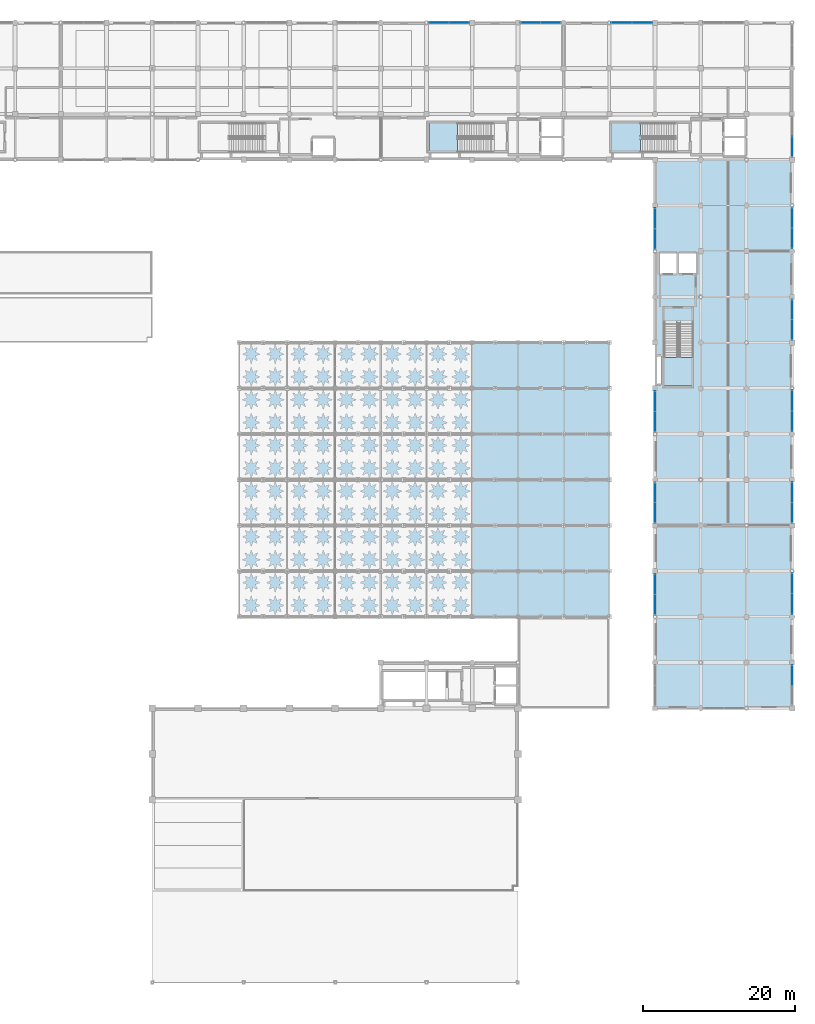
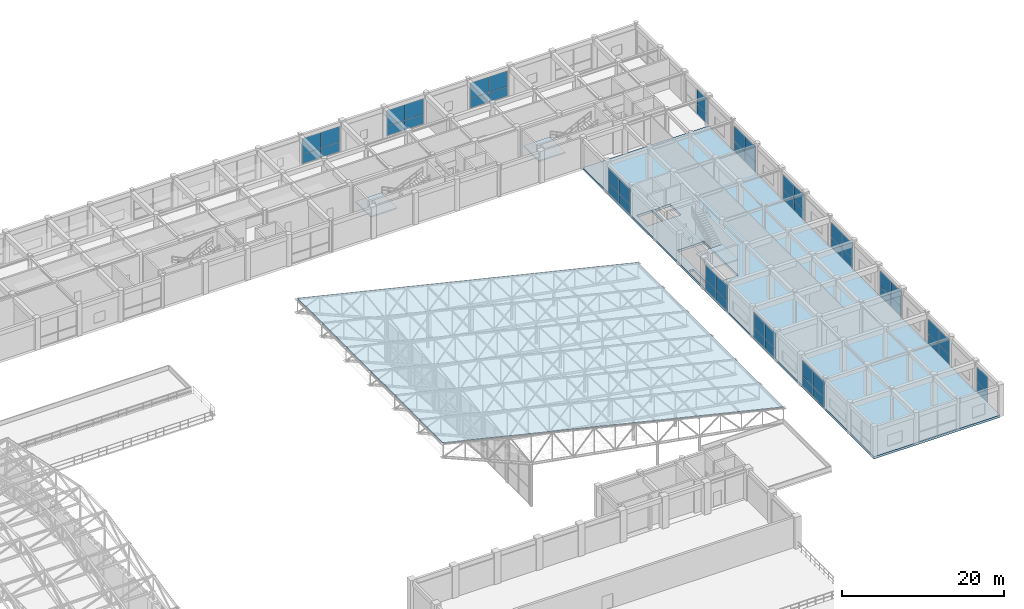
# One storey, part 84 of 112: 52 plates, 5 slabs, 17 elements without a shape of their own.
"""IFC4 building model written with IfcOpenShell, lengths in metres."""

from ifc_helpers import new_model, si_unit, direction, frame, frame_2d, origin, place, context, subcontext, project, spatial, polyline, rectangle, outline, extrude, material, layer, layer_set, type_object, element, aggregate, save


model = new_model("IFC4")

# Units and contexts
model_context = context("Model", 3, precision=1e-05, world=origin(), true_north=direction((0.0, 1.0)))
body_context = subcontext(model_context, "Body", "Model", "MODEL_VIEW")
ifc_project = project(units=[si_unit("LENGTHUNIT", "METRE"), si_unit("AREAUNIT", "SQUARE_METRE"), si_unit("VOLUMEUNIT", "CUBIC_METRE"), si_unit("PLANEANGLEUNIT", "RADIAN"), si_unit("MASSUNIT", "GRAM", prefix="KILO"), si_unit("THERMODYNAMICTEMPERATUREUNIT", "KELVIN"), si_unit("POWERUNIT", "WATT")], contexts=[model_context])

# Site, building, storey
site_placement = place(None, origin())
site = spatial("IfcSite", under=ifc_project, at=site_placement, CompositionType="ELEMENT")
building_placement = place(site_placement, origin())
building = spatial("IfcBuilding", under=site, at=building_placement, Name="Phaisarnlok Congress Hotel", CompositionType="ELEMENT")
storey_placement = place(building_placement, frame((0.0, 0.0, 19.800048828125)))
storey = spatial("IfcBuildingStorey", under=building, at=storey_placement, Name="L04", CompositionType="ELEMENT", Elevation=19.800048828125)

# Curtain wall, plates
ifc_material_1 = material(Name="Thermally Broken Unitised Aluminium & Low-E Glazing", Category="aluminium")
curtain_wall_type_1 = type_object("IfcCurtainWallType", Name="CW-UNIT-34", PredefinedType="NOTDEFINED", material=ifc_material_1)
curtain_wall_1_placement = place(storey_placement, origin())
curtain_wall_1 = element("IfcCurtainWall", 1, at=curtain_wall_1_placement, inside=storey, type_object=curtain_wall_type_1, Name="Unitised curtain wall CW-34 (L04)", PredefinedType="NOTDEFINED")
ifc_material_2 = material(Name="Double Low-E Insulated Glazing", Category="glass")
ifc_layer_1 = layer(ifc_material_2, 0.028076171875, Name="Double Low-E Insulated Glazing")
ifc_layer_set_1 = layer_set([ifc_layer_1], Name="Double Low-E Insulated Glazing")
plate_type = type_object("IfcPlateType", Name="CWP-GLZ-28", PredefinedType="CURTAIN_PANEL", material=ifc_layer_set_1)
plate_1_placement = place(storey_placement, frame((162.0, 101.625, 0.0400390625), z_axis=(0.0, 0.0, 1.0), x_axis=(0.0, -1.0, 0.0)))
plate_1 = element("IfcPlate", 2, at=plate_1_placement, type_object=plate_type, Name="Glazed curtain panel CWP-01", PredefinedType="CURTAIN_PANEL", context=body_context, shape_type="SweptSolid", body=[
    extrude(rectangle(XDim=2.657958984375, YDim=0.028076171875, at=frame_2d((1.3291015625, 0.0))), origin(), (0.0, 0.0, 1.0), 1.44189453125),
])
plate_2_placement = place(storey_placement, frame((162.0, 101.625, 1.48193359375), z_axis=(0.0, 0.0, 1.0), x_axis=(0.0, -1.0, 0.0)))
plate_2 = element("IfcPlate", 3, at=plate_2_placement, type_object=plate_type, Name="Glazed curtain panel CWP-01", PredefinedType="CURTAIN_PANEL", context=body_context, shape_type="SweptSolid", body=[
    extrude(rectangle(XDim=2.657958984375, YDim=0.028076171875, at=frame_2d((1.3291015625, 0.0))), origin(), (0.0, 0.0, 1.0), 2.3779296875),
])
plate_3_placement = place(storey_placement, frame((162.0, 98.93701171875, 0.0400390625), z_axis=(0.0, 0.0, 1.0), x_axis=(0.0, -1.0, 0.0)))
plate_3 = element("IfcPlate", 4, at=plate_3_placement, type_object=plate_type, Name="Glazed curtain panel CWP-01", PredefinedType="CURTAIN_PANEL", context=body_context, shape_type="SweptSolid", body=[
    extrude(rectangle(XDim=2.657958984375, YDim=0.028076171875, at=frame_2d((1.3291015625, 0.0))), origin(), (0.0, 0.0, 1.0), 1.44189453125),
])
plate_4_placement = place(storey_placement, frame((162.0, 98.93701171875, 1.48193359375), z_axis=(0.0, 0.0, 1.0), x_axis=(0.0, -1.0, 0.0)))
plate_4 = element("IfcPlate", 5, at=plate_4_placement, type_object=plate_type, Name="Glazed curtain panel CWP-01", PredefinedType="CURTAIN_PANEL", context=body_context, shape_type="SweptSolid", body=[
    extrude(rectangle(XDim=2.657958984375, YDim=0.028076171875, at=frame_2d((1.3291015625, 0.0))), origin(), (0.0, 0.0, 1.0), 2.3779296875),
])
aggregate(curtain_wall_1, [plate_1, plate_2, plate_3, plate_4])

curtain_wall_2_placement = place(storey_placement, origin())
curtain_wall_2 = element("IfcCurtainWall", 6, at=curtain_wall_2_placement, inside=storey, type_object=curtain_wall_type_1, Name="Unitised curtain wall CW-34 (L04)", PredefinedType="NOTDEFINED")
plate_5_placement = place(storey_placement, frame((162.0, 77.625, 0.0400390625), z_axis=(0.0, 0.0, 1.0), x_axis=(0.0, -1.0, 0.0)))
plate_5 = element("IfcPlate", 7, at=plate_5_placement, type_object=plate_type, Name="Glazed curtain panel CWP-01", PredefinedType="CURTAIN_PANEL", context=body_context, shape_type="SweptSolid", body=[
    extrude(rectangle(XDim=2.657958984375, YDim=0.028076171875, at=frame_2d((1.3291015625, 0.0))), origin(), (0.0, 0.0, 1.0), 1.44189453125),
])
plate_6_placement = place(storey_placement, frame((162.0, 77.625, 1.48193359375), z_axis=(0.0, 0.0, 1.0), x_axis=(0.0, -1.0, 0.0)))
plate_6 = element("IfcPlate", 8, at=plate_6_placement, type_object=plate_type, Name="Glazed curtain panel CWP-01", PredefinedType="CURTAIN_PANEL", context=body_context, shape_type="SweptSolid", body=[
    extrude(rectangle(XDim=2.657958984375, YDim=0.028076171875, at=frame_2d((1.3291015625, 0.0))), origin(), (0.0, 0.0, 1.0), 2.3779296875),
])
plate_7_placement = place(storey_placement, frame((162.0, 74.93701171875, 0.0400390625), z_axis=(0.0, 0.0, 1.0), x_axis=(0.0, -1.0, 0.0)))
plate_7 = element("IfcPlate", 9, at=plate_7_placement, type_object=plate_type, Name="Glazed curtain panel CWP-01", PredefinedType="CURTAIN_PANEL", context=body_context, shape_type="SweptSolid", body=[
    extrude(rectangle(XDim=2.657958984375, YDim=0.028076171875, at=frame_2d((1.3291015625, 0.0))), origin(), (0.0, 0.0, 1.0), 1.44189453125),
])
plate_8_placement = place(storey_placement, frame((162.0, 74.93701171875, 1.48193359375), z_axis=(0.0, 0.0, 1.0), x_axis=(0.0, -1.0, 0.0)))
plate_8 = element("IfcPlate", 10, at=plate_8_placement, type_object=plate_type, Name="Glazed curtain panel CWP-01", PredefinedType="CURTAIN_PANEL", context=body_context, shape_type="SweptSolid", body=[
    extrude(rectangle(XDim=2.657958984375, YDim=0.028076171875, at=frame_2d((1.3291015625, 0.0))), origin(), (0.0, 0.0, 1.0), 2.3779296875),
])
aggregate(curtain_wall_2, [plate_5, plate_6, plate_7, plate_8])

curtain_wall_type_2 = type_object("IfcCurtainWallType", Name="CW-UNIT-33", PredefinedType="NOTDEFINED", material=ifc_material_1)
curtain_wall_3_placement = place(storey_placement, origin())
curtain_wall_3 = element("IfcCurtainWall", 11, at=curtain_wall_3_placement, inside=storey, type_object=curtain_wall_type_2, Name="Unitised curtain wall CW-33 (L04)", PredefinedType="NOTDEFINED")
plate_9_placement = place(storey_placement, frame((162.0, 65.625, 0.0400390625), z_axis=(0.0, 0.0, 1.0), x_axis=(0.0, -1.0, 0.0)))
plate_9 = element("IfcPlate", 12, at=plate_9_placement, type_object=plate_type, Name="Glazed curtain panel CWP-01", PredefinedType="CURTAIN_PANEL", context=body_context, shape_type="SweptSolid", body=[
    extrude(rectangle(XDim=2.62255859375, YDim=0.028076171875, at=frame_2d((1.311279296875, 0.0))), origin(), (0.0, 0.0, 1.0), 1.44189453125),
])
plate_10_placement = place(storey_placement, frame((162.0, 65.625, 1.48193359375), z_axis=(0.0, 0.0, 1.0), x_axis=(0.0, -1.0, 0.0)))
plate_10 = element("IfcPlate", 13, at=plate_10_placement, type_object=plate_type, Name="Glazed curtain panel CWP-01", PredefinedType="CURTAIN_PANEL", context=body_context, shape_type="SweptSolid", body=[
    extrude(rectangle(XDim=2.62255859375, YDim=0.028076171875, at=frame_2d((1.311279296875, 0.0))), origin(), (0.0, 0.0, 1.0), 2.3779296875),
])
plate_11_placement = place(storey_placement, frame((162.0, 62.972412109375, 0.0400390625), z_axis=(0.0, 0.0, 1.0), x_axis=(0.0, -1.0, 0.0)))
plate_11 = element("IfcPlate", 14, at=plate_11_placement, type_object=plate_type, Name="Glazed curtain panel CWP-01", PredefinedType="CURTAIN_PANEL", context=body_context, shape_type="SweptSolid", body=[
    extrude(rectangle(XDim=2.622314453125, YDim=0.028076171875, at=frame_2d((1.31103515625, 0.0))), origin(), (0.0, 0.0, 1.0), 1.44189453125),
])
plate_12_placement = place(storey_placement, frame((162.0, 62.972412109375, 1.48193359375), z_axis=(0.0, 0.0, 1.0), x_axis=(0.0, -1.0, 0.0)))
plate_12 = element("IfcPlate", 15, at=plate_12_placement, type_object=plate_type, Name="Glazed curtain panel CWP-01", PredefinedType="CURTAIN_PANEL", context=body_context, shape_type="SweptSolid", body=[
    extrude(rectangle(XDim=2.622314453125, YDim=0.028076171875, at=frame_2d((1.31103515625, 0.0))), origin(), (0.0, 0.0, 1.0), 2.3779296875),
])
aggregate(curtain_wall_3, [plate_9, plate_10, plate_11, plate_12])

curtain_wall_4_placement = place(storey_placement, origin())
curtain_wall_4 = element("IfcCurtainWall", 16, at=curtain_wall_4_placement, inside=storey, type_object=curtain_wall_type_1, Name="Unitised curtain wall CW-34 (L04)", PredefinedType="NOTDEFINED")
plate_13_placement = place(storey_placement, frame((162.0, 53.625, 0.0400390625), z_axis=(0.0, 0.0, 1.0), x_axis=(0.0, -1.0, 0.0)))
plate_13 = element("IfcPlate", 17, at=plate_13_placement, type_object=plate_type, Name="Glazed curtain panel CWP-01", PredefinedType="CURTAIN_PANEL", context=body_context, shape_type="SweptSolid", body=[
    extrude(rectangle(XDim=2.657958984375, YDim=0.028076171875, at=frame_2d((1.3291015625, 0.0))), origin(), (0.0, 0.0, 1.0), 1.44189453125),
])
plate_14_placement = place(storey_placement, frame((162.0, 53.625, 1.48193359375), z_axis=(0.0, 0.0, 1.0), x_axis=(0.0, -1.0, 0.0)))
plate_14 = element("IfcPlate", 18, at=plate_14_placement, type_object=plate_type, Name="Glazed curtain panel CWP-01", PredefinedType="CURTAIN_PANEL", context=body_context, shape_type="SweptSolid", body=[
    extrude(rectangle(XDim=2.657958984375, YDim=0.028076171875, at=frame_2d((1.3291015625, 0.0))), origin(), (0.0, 0.0, 1.0), 2.3779296875),
])
plate_15_placement = place(storey_placement, frame((162.0, 50.93701171875, 0.0400390625), z_axis=(0.0, 0.0, 1.0), x_axis=(0.0, -1.0, 0.0)))
plate_15 = element("IfcPlate", 19, at=plate_15_placement, type_object=plate_type, Name="Glazed curtain panel CWP-01", PredefinedType="CURTAIN_PANEL", context=body_context, shape_type="SweptSolid", body=[
    extrude(rectangle(XDim=2.657958984375, YDim=0.028076171875, at=frame_2d((1.3291015625, 0.0))), origin(), (0.0, 0.0, 1.0), 1.44189453125),
])
plate_16_placement = place(storey_placement, frame((162.0, 50.93701171875, 1.48193359375), z_axis=(0.0, 0.0, 1.0), x_axis=(0.0, -1.0, 0.0)))
plate_16 = element("IfcPlate", 20, at=plate_16_placement, type_object=plate_type, Name="Glazed curtain panel CWP-01", PredefinedType="CURTAIN_PANEL", context=body_context, shape_type="SweptSolid", body=[
    extrude(rectangle(XDim=2.657958984375, YDim=0.028076171875, at=frame_2d((1.3291015625, 0.0))), origin(), (0.0, 0.0, 1.0), 2.3779296875),
])
aggregate(curtain_wall_4, [plate_13, plate_14, plate_15, plate_16])

curtain_wall_type_3 = type_object("IfcCurtainWallType", Name="CW-UNIT-35", PredefinedType="NOTDEFINED", material=ifc_material_1)
curtain_wall_5_placement = place(storey_placement, origin())
curtain_wall_5 = element("IfcCurtainWall", 21, at=curtain_wall_5_placement, inside=storey, type_object=curtain_wall_type_3, Name="Unitised curtain wall CW-35 (L04)", PredefinedType="NOTDEFINED")
plate_17_placement = place(storey_placement, frame((180.0, 39.027587890625, 0.0400390625), z_axis=(0.0, 0.0, 1.0), x_axis=(0.0, 1.0, 0.0)))
plate_17 = element("IfcPlate", 22, at=plate_17_placement, type_object=plate_type, Name="Glazed curtain panel CWP-01", PredefinedType="CURTAIN_PANEL", context=body_context, shape_type="SweptSolid", body=[
    extrude(rectangle(XDim=2.622314453125, YDim=0.028076171875, at=frame_2d((1.31103515625, 0.0))), origin(), (0.0, 0.0, 1.0), 1.458984375),
])
plate_18_placement = place(storey_placement, frame((180.0, 39.027587890625, 1.4990234375), z_axis=(0.0, 0.0, 1.0), x_axis=(0.0, 1.0, 0.0)))
plate_18 = element("IfcPlate", 23, at=plate_18_placement, type_object=plate_type, Name="Glazed curtain panel CWP-01", PredefinedType="CURTAIN_PANEL", context=body_context, shape_type="SweptSolid", body=[
    extrude(rectangle(XDim=2.622314453125, YDim=0.028076171875, at=frame_2d((1.31103515625, 0.0))), origin(), (0.0, 0.0, 1.0), 2.406005859375),
])
aggregate(curtain_wall_5, [plate_17, plate_18])

curtain_wall_6_placement = place(storey_placement, origin())
curtain_wall_6 = element("IfcCurtainWall", 24, at=curtain_wall_6_placement, inside=storey, type_object=curtain_wall_type_1, Name="Unitised curtain wall CW-34 (L04)", PredefinedType="NOTDEFINED")
plate_19_placement = place(storey_placement, frame((180.0, 48.375, 0.0400390625), z_axis=(0.0, 0.0, 1.0), x_axis=(0.0, 1.0, 0.0)))
plate_19 = element("IfcPlate", 25, at=plate_19_placement, type_object=plate_type, Name="Glazed curtain panel CWP-01", PredefinedType="CURTAIN_PANEL", context=body_context, shape_type="SweptSolid", body=[
    extrude(rectangle(XDim=2.657958984375, YDim=0.028076171875, at=frame_2d((1.3291015625, 0.0))), origin(), (0.0, 0.0, 1.0), 1.44189453125),
])
plate_20_placement = place(storey_placement, frame((180.0, 48.375, 1.48193359375), z_axis=(0.0, 0.0, 1.0), x_axis=(0.0, 1.0, 0.0)))
plate_20 = element("IfcPlate", 26, at=plate_20_placement, type_object=plate_type, Name="Glazed curtain panel CWP-01", PredefinedType="CURTAIN_PANEL", context=body_context, shape_type="SweptSolid", body=[
    extrude(rectangle(XDim=2.657958984375, YDim=0.028076171875, at=frame_2d((1.3291015625, 0.0))), origin(), (0.0, 0.0, 1.0), 2.3779296875),
])
plate_21_placement = place(storey_placement, frame((180.0, 51.06298828125, 0.0400390625), z_axis=(0.0, 0.0, 1.0), x_axis=(0.0, 1.0, 0.0)))
plate_21 = element("IfcPlate", 27, at=plate_21_placement, type_object=plate_type, Name="Glazed curtain panel CWP-01", PredefinedType="CURTAIN_PANEL", context=body_context, shape_type="SweptSolid", body=[
    extrude(rectangle(XDim=2.657958984375, YDim=0.028076171875, at=frame_2d((1.3291015625, 0.0))), origin(), (0.0, 0.0, 1.0), 1.44189453125),
])
plate_22_placement = place(storey_placement, frame((180.0, 51.06298828125, 1.48193359375), z_axis=(0.0, 0.0, 1.0), x_axis=(0.0, 1.0, 0.0)))
plate_22 = element("IfcPlate", 28, at=plate_22_placement, type_object=plate_type, Name="Glazed curtain panel CWP-01", PredefinedType="CURTAIN_PANEL", context=body_context, shape_type="SweptSolid", body=[
    extrude(rectangle(XDim=2.657958984375, YDim=0.028076171875, at=frame_2d((1.3291015625, 0.0))), origin(), (0.0, 0.0, 1.0), 2.3779296875),
])
aggregate(curtain_wall_6, [plate_19, plate_20, plate_21, plate_22])

curtain_wall_7_placement = place(storey_placement, origin())
curtain_wall_7 = element("IfcCurtainWall", 29, at=curtain_wall_7_placement, inside=storey, type_object=curtain_wall_type_2, Name="Unitised curtain wall CW-33 (L04)", PredefinedType="NOTDEFINED")
plate_23_placement = place(storey_placement, frame((180.0, 60.375, 0.0400390625), z_axis=(0.0, 0.0, 1.0), x_axis=(0.0, 1.0, 0.0)))
plate_23 = element("IfcPlate", 30, at=plate_23_placement, type_object=plate_type, Name="Glazed curtain panel CWP-01", PredefinedType="CURTAIN_PANEL", context=body_context, shape_type="SweptSolid", body=[
    extrude(rectangle(XDim=2.62255859375, YDim=0.028076171875, at=frame_2d((1.311279296875, 0.0))), origin(), (0.0, 0.0, 1.0), 1.44189453125),
])
plate_24_placement = place(storey_placement, frame((180.0, 60.375, 1.48193359375), z_axis=(0.0, 0.0, 1.0), x_axis=(0.0, 1.0, 0.0)))
plate_24 = element("IfcPlate", 31, at=plate_24_placement, type_object=plate_type, Name="Glazed curtain panel CWP-01", PredefinedType="CURTAIN_PANEL", context=body_context, shape_type="SweptSolid", body=[
    extrude(rectangle(XDim=2.62255859375, YDim=0.028076171875, at=frame_2d((1.311279296875, 0.0))), origin(), (0.0, 0.0, 1.0), 2.3779296875),
])
plate_25_placement = place(storey_placement, frame((180.0, 63.027587890625, 0.0400390625), z_axis=(0.0, 0.0, 1.0), x_axis=(0.0, 1.0, 0.0)))
plate_25 = element("IfcPlate", 32, at=plate_25_placement, type_object=plate_type, Name="Glazed curtain panel CWP-01", PredefinedType="CURTAIN_PANEL", context=body_context, shape_type="SweptSolid", body=[
    extrude(rectangle(XDim=2.622314453125, YDim=0.028076171875, at=frame_2d((1.31103515625, 0.0))), origin(), (0.0, 0.0, 1.0), 1.44189453125),
])
plate_26_placement = place(storey_placement, frame((180.0, 63.027587890625, 1.48193359375), z_axis=(0.0, 0.0, 1.0), x_axis=(0.0, 1.0, 0.0)))
plate_26 = element("IfcPlate", 33, at=plate_26_placement, type_object=plate_type, Name="Glazed curtain panel CWP-01", PredefinedType="CURTAIN_PANEL", context=body_context, shape_type="SweptSolid", body=[
    extrude(rectangle(XDim=2.622314453125, YDim=0.028076171875, at=frame_2d((1.31103515625, 0.0))), origin(), (0.0, 0.0, 1.0), 2.3779296875),
])
aggregate(curtain_wall_7, [plate_23, plate_24, plate_25, plate_26])

curtain_wall_8_placement = place(storey_placement, origin())
curtain_wall_8 = element("IfcCurtainWall", 34, at=curtain_wall_8_placement, inside=storey, type_object=curtain_wall_type_1, Name="Unitised curtain wall CW-34 (L04)", PredefinedType="NOTDEFINED")
plate_27_placement = place(storey_placement, frame((180.0, 72.375, 0.0400390625), z_axis=(0.0, 0.0, 1.0), x_axis=(0.0, 1.0, 0.0)))
plate_27 = element("IfcPlate", 35, at=plate_27_placement, type_object=plate_type, Name="Glazed curtain panel CWP-01", PredefinedType="CURTAIN_PANEL", context=body_context, shape_type="SweptSolid", body=[
    extrude(rectangle(XDim=2.657958984375, YDim=0.028076171875, at=frame_2d((1.3291015625, 0.0))), origin(), (0.0, 0.0, 1.0), 1.44189453125),
])
plate_28_placement = place(storey_placement, frame((180.0, 72.375, 1.48193359375), z_axis=(0.0, 0.0, 1.0), x_axis=(0.0, 1.0, 0.0)))
plate_28 = element("IfcPlate", 36, at=plate_28_placement, type_object=plate_type, Name="Glazed curtain panel CWP-01", PredefinedType="CURTAIN_PANEL", context=body_context, shape_type="SweptSolid", body=[
    extrude(rectangle(XDim=2.657958984375, YDim=0.028076171875, at=frame_2d((1.3291015625, 0.0))), origin(), (0.0, 0.0, 1.0), 2.3779296875),
])
plate_29_placement = place(storey_placement, frame((180.0, 75.06298828125, 0.0400390625), z_axis=(0.0, 0.0, 1.0), x_axis=(0.0, 1.0, 0.0)))
plate_29 = element("IfcPlate", 37, at=plate_29_placement, type_object=plate_type, Name="Glazed curtain panel CWP-01", PredefinedType="CURTAIN_PANEL", context=body_context, shape_type="SweptSolid", body=[
    extrude(rectangle(XDim=2.657958984375, YDim=0.028076171875, at=frame_2d((1.3291015625, 0.0))), origin(), (0.0, 0.0, 1.0), 1.44189453125),
])
plate_30_placement = place(storey_placement, frame((180.0, 75.06298828125, 1.48193359375), z_axis=(0.0, 0.0, 1.0), x_axis=(0.0, 1.0, 0.0)))
plate_30 = element("IfcPlate", 38, at=plate_30_placement, type_object=plate_type, Name="Glazed curtain panel CWP-01", PredefinedType="CURTAIN_PANEL", context=body_context, shape_type="SweptSolid", body=[
    extrude(rectangle(XDim=2.657958984375, YDim=0.028076171875, at=frame_2d((1.3291015625, 0.0))), origin(), (0.0, 0.0, 1.0), 2.3779296875),
])
aggregate(curtain_wall_8, [plate_27, plate_28, plate_29, plate_30])

curtain_wall_9_placement = place(storey_placement, origin())
curtain_wall_9 = element("IfcCurtainWall", 39, at=curtain_wall_9_placement, inside=storey, type_object=curtain_wall_type_2, Name="Unitised curtain wall CW-33 (L04)", PredefinedType="NOTDEFINED")
plate_31_placement = place(storey_placement, frame((180.0, 84.375, 0.0400390625), z_axis=(0.0, 0.0, 1.0), x_axis=(0.0, 1.0, 0.0)))
plate_31 = element("IfcPlate", 40, at=plate_31_placement, type_object=plate_type, Name="Glazed curtain panel CWP-01", PredefinedType="CURTAIN_PANEL", context=body_context, shape_type="SweptSolid", body=[
    extrude(rectangle(XDim=2.62255859375, YDim=0.028076171875, at=frame_2d((1.311279296875, 0.0))), origin(), (0.0, 0.0, 1.0), 1.44189453125),
])
plate_32_placement = place(storey_placement, frame((180.0, 84.375, 1.48193359375), z_axis=(0.0, 0.0, 1.0), x_axis=(0.0, 1.0, 0.0)))
plate_32 = element("IfcPlate", 41, at=plate_32_placement, type_object=plate_type, Name="Glazed curtain panel CWP-01", PredefinedType="CURTAIN_PANEL", context=body_context, shape_type="SweptSolid", body=[
    extrude(rectangle(XDim=2.62255859375, YDim=0.028076171875, at=frame_2d((1.311279296875, 0.0))), origin(), (0.0, 0.0, 1.0), 2.3779296875),
])
plate_33_placement = place(storey_placement, frame((180.0, 87.027587890625, 0.0400390625), z_axis=(0.0, 0.0, 1.0), x_axis=(0.0, 1.0, 0.0)))
plate_33 = element("IfcPlate", 42, at=plate_33_placement, type_object=plate_type, Name="Glazed curtain panel CWP-01", PredefinedType="CURTAIN_PANEL", context=body_context, shape_type="SweptSolid", body=[
    extrude(rectangle(XDim=2.622314453125, YDim=0.028076171875, at=frame_2d((1.31103515625, 0.0))), origin(), (0.0, 0.0, 1.0), 1.44189453125),
])
plate_34_placement = place(storey_placement, frame((180.0, 87.027587890625, 1.48193359375), z_axis=(0.0, 0.0, 1.0), x_axis=(0.0, 1.0, 0.0)))
plate_34 = element("IfcPlate", 43, at=plate_34_placement, type_object=plate_type, Name="Glazed curtain panel CWP-01", PredefinedType="CURTAIN_PANEL", context=body_context, shape_type="SweptSolid", body=[
    extrude(rectangle(XDim=2.622314453125, YDim=0.028076171875, at=frame_2d((1.31103515625, 0.0))), origin(), (0.0, 0.0, 1.0), 2.3779296875),
])
aggregate(curtain_wall_9, [plate_31, plate_32, plate_33, plate_34])

curtain_wall_10_placement = place(storey_placement, origin())
curtain_wall_10 = element("IfcCurtainWall", 44, at=curtain_wall_10_placement, inside=storey, type_object=curtain_wall_type_1, Name="Unitised curtain wall CW-34 (L04)", PredefinedType="NOTDEFINED")
plate_35_placement = place(storey_placement, frame((180.0, 96.375, 0.0400390625), z_axis=(0.0, 0.0, 1.0), x_axis=(0.0, 1.0, 0.0)))
plate_35 = element("IfcPlate", 45, at=plate_35_placement, type_object=plate_type, Name="Glazed curtain panel CWP-01", PredefinedType="CURTAIN_PANEL", context=body_context, shape_type="SweptSolid", body=[
    extrude(rectangle(XDim=2.657958984375, YDim=0.028076171875, at=frame_2d((1.3291015625, 0.0))), origin(), (0.0, 0.0, 1.0), 1.44189453125),
])
plate_36_placement = place(storey_placement, frame((180.0, 96.375, 1.48193359375), z_axis=(0.0, 0.0, 1.0), x_axis=(0.0, 1.0, 0.0)))
plate_36 = element("IfcPlate", 46, at=plate_36_placement, type_object=plate_type, Name="Glazed curtain panel CWP-01", PredefinedType="CURTAIN_PANEL", context=body_context, shape_type="SweptSolid", body=[
    extrude(rectangle(XDim=2.657958984375, YDim=0.028076171875, at=frame_2d((1.3291015625, 0.0))), origin(), (0.0, 0.0, 1.0), 2.3779296875),
])
plate_37_placement = place(storey_placement, frame((180.0, 99.06298828125, 0.0400390625), z_axis=(0.0, 0.0, 1.0), x_axis=(0.0, 1.0, 0.0)))
plate_37 = element("IfcPlate", 47, at=plate_37_placement, type_object=plate_type, Name="Glazed curtain panel CWP-01", PredefinedType="CURTAIN_PANEL", context=body_context, shape_type="SweptSolid", body=[
    extrude(rectangle(XDim=2.657958984375, YDim=0.028076171875, at=frame_2d((1.3291015625, 0.0))), origin(), (0.0, 0.0, 1.0), 1.44189453125),
])
plate_38_placement = place(storey_placement, frame((180.0, 99.06298828125, 1.48193359375), z_axis=(0.0, 0.0, 1.0), x_axis=(0.0, 1.0, 0.0)))
plate_38 = element("IfcPlate", 48, at=plate_38_placement, type_object=plate_type, Name="Glazed curtain panel CWP-01", PredefinedType="CURTAIN_PANEL", context=body_context, shape_type="SweptSolid", body=[
    extrude(rectangle(XDim=2.657958984375, YDim=0.028076171875, at=frame_2d((1.3291015625, 0.0))), origin(), (0.0, 0.0, 1.0), 2.3779296875),
])
aggregate(curtain_wall_10, [plate_35, plate_36, plate_37, plate_38])

curtain_wall_11_placement = place(storey_placement, origin())
curtain_wall_11 = element("IfcCurtainWall", 49, at=curtain_wall_11_placement, inside=storey, type_object=curtain_wall_type_2, Name="Unitised curtain wall CW-33 (L04)", PredefinedType="NOTDEFINED")
plate_39_placement = place(storey_placement, frame((180.0, 108.375, 0.0400390625), z_axis=(0.0, 0.0, 1.0), x_axis=(0.0, 1.0, 0.0)))
plate_39 = element("IfcPlate", 50, at=plate_39_placement, type_object=plate_type, Name="Glazed curtain panel CWP-01", PredefinedType="CURTAIN_PANEL", context=body_context, shape_type="SweptSolid", body=[
    extrude(rectangle(XDim=2.62255859375, YDim=0.028076171875, at=frame_2d((1.311279296875, 0.0))), origin(), (0.0, 0.0, 1.0), 1.44189453125),
])
plate_40_placement = place(storey_placement, frame((180.0, 108.375, 1.48193359375), z_axis=(0.0, 0.0, 1.0), x_axis=(0.0, 1.0, 0.0)))
plate_40 = element("IfcPlate", 51, at=plate_40_placement, type_object=plate_type, Name="Glazed curtain panel CWP-01", PredefinedType="CURTAIN_PANEL", context=body_context, shape_type="SweptSolid", body=[
    extrude(rectangle(XDim=2.62255859375, YDim=0.028076171875, at=frame_2d((1.311279296875, 0.0))), origin(), (0.0, 0.0, 1.0), 2.3779296875),
])
aggregate(curtain_wall_11, [plate_39, plate_40])

curtain_wall_12_placement = place(storey_placement, origin())
curtain_wall_12 = element("IfcCurtainWall", 52, at=curtain_wall_12_placement, inside=storey, type_object=curtain_wall_type_1, Name="Unitised curtain wall CW-34 (L04)", PredefinedType="NOTDEFINED")
plate_41_placement = place(storey_placement, frame((161.625, 126.0, 0.0400390625), z_axis=(0.0, 0.0, 1.0), x_axis=(-1.0, 0.0, 0.0)))
plate_41 = element("IfcPlate", 53, at=plate_41_placement, type_object=plate_type, Name="Glazed curtain panel CWP-01", PredefinedType="CURTAIN_PANEL", context=body_context, shape_type="SweptSolid", body=[
    extrude(rectangle(XDim=2.657958984375, YDim=0.028076171875, at=frame_2d((1.3291015625, 0.0))), origin(), (0.0, 0.0, 1.0), 1.44189453125),
])
plate_42_placement = place(storey_placement, frame((161.625, 126.0, 1.48193359375), z_axis=(0.0, 0.0, 1.0), x_axis=(-1.0, 0.0, 0.0)))
plate_42 = element("IfcPlate", 54, at=plate_42_placement, type_object=plate_type, Name="Glazed curtain panel CWP-01", PredefinedType="CURTAIN_PANEL", context=body_context, shape_type="SweptSolid", body=[
    extrude(rectangle(XDim=2.657958984375, YDim=0.028076171875, at=frame_2d((1.3291015625, 0.0))), origin(), (0.0, 0.0, 1.0), 2.3779296875),
])
plate_43_placement = place(storey_placement, frame((158.93701171875, 126.0, 0.0400390625), z_axis=(0.0, 0.0, 1.0), x_axis=(-1.0, 0.0, 0.0)))
plate_43 = element("IfcPlate", 55, at=plate_43_placement, type_object=plate_type, Name="Glazed curtain panel CWP-01", PredefinedType="CURTAIN_PANEL", context=body_context, shape_type="SweptSolid", body=[
    extrude(rectangle(XDim=2.657958984375, YDim=0.028076171875, at=frame_2d((1.3291015625, 0.0))), origin(), (0.0, 0.0, 1.0), 1.44189453125),
])
plate_44_placement = place(storey_placement, frame((158.93701171875, 126.0, 1.48193359375), z_axis=(0.0, 0.0, 1.0), x_axis=(-1.0, 0.0, 0.0)))
plate_44 = element("IfcPlate", 56, at=plate_44_placement, type_object=plate_type, Name="Glazed curtain panel CWP-01", PredefinedType="CURTAIN_PANEL", context=body_context, shape_type="SweptSolid", body=[
    extrude(rectangle(XDim=2.657958984375, YDim=0.028076171875, at=frame_2d((1.3291015625, 0.0))), origin(), (0.0, 0.0, 1.0), 2.3779296875),
])
aggregate(curtain_wall_12, [plate_41, plate_42, plate_43, plate_44])

curtain_wall_13_placement = place(storey_placement, origin())
curtain_wall_13 = element("IfcCurtainWall", 57, at=curtain_wall_13_placement, inside=storey, type_object=curtain_wall_type_2, Name="Unitised curtain wall CW-33 (L04)", PredefinedType="NOTDEFINED")
plate_45_placement = place(storey_placement, frame((149.625, 126.0, 0.0400390625), z_axis=(0.0, 0.0, 1.0), x_axis=(-1.0, 0.0, 0.0)))
plate_45 = element("IfcPlate", 58, at=plate_45_placement, type_object=plate_type, Name="Glazed curtain panel CWP-01", PredefinedType="CURTAIN_PANEL", context=body_context, shape_type="SweptSolid", body=[
    extrude(rectangle(XDim=2.62255859375, YDim=0.028076171875, at=frame_2d((1.311279296875, 0.0))), origin(), (0.0, 0.0, 1.0), 1.44189453125),
])
plate_46_placement = place(storey_placement, frame((149.625, 126.0, 1.48193359375), z_axis=(0.0, 0.0, 1.0), x_axis=(-1.0, 0.0, 0.0)))
plate_46 = element("IfcPlate", 59, at=plate_46_placement, type_object=plate_type, Name="Glazed curtain panel CWP-01", PredefinedType="CURTAIN_PANEL", context=body_context, shape_type="SweptSolid", body=[
    extrude(rectangle(XDim=2.62255859375, YDim=0.028076171875, at=frame_2d((1.311279296875, 0.0))), origin(), (0.0, 0.0, 1.0), 2.3779296875),
])
plate_47_placement = place(storey_placement, frame((146.972412109375, 126.0, 0.0400390625), z_axis=(0.0, 0.0, 1.0), x_axis=(-1.0, 0.0, 0.0)))
plate_47 = element("IfcPlate", 60, at=plate_47_placement, type_object=plate_type, Name="Glazed curtain panel CWP-01", PredefinedType="CURTAIN_PANEL", context=body_context, shape_type="SweptSolid", body=[
    extrude(rectangle(XDim=2.622314453125, YDim=0.028076171875, at=frame_2d((1.31103515625, 0.0))), origin(), (0.0, 0.0, 1.0), 1.44189453125),
])
plate_48_placement = place(storey_placement, frame((146.972412109375, 126.0, 1.48193359375), z_axis=(0.0, 0.0, 1.0), x_axis=(-1.0, 0.0, 0.0)))
plate_48 = element("IfcPlate", 61, at=plate_48_placement, type_object=plate_type, Name="Glazed curtain panel CWP-01", PredefinedType="CURTAIN_PANEL", context=body_context, shape_type="SweptSolid", body=[
    extrude(rectangle(XDim=2.622314453125, YDim=0.028076171875, at=frame_2d((1.31103515625, 0.0))), origin(), (0.0, 0.0, 1.0), 2.3779296875),
])
aggregate(curtain_wall_13, [plate_45, plate_46, plate_47, plate_48])

curtain_wall_14_placement = place(storey_placement, origin())
curtain_wall_14 = element("IfcCurtainWall", 62, at=curtain_wall_14_placement, inside=storey, type_object=curtain_wall_type_1, Name="Unitised curtain wall CW-34 (L04)", PredefinedType="NOTDEFINED")
plate_49_placement = place(storey_placement, frame((137.625, 126.0, 0.0400390625), z_axis=(0.0, 0.0, 1.0), x_axis=(-1.0, 0.0, 0.0)))
plate_49 = element("IfcPlate", 63, at=plate_49_placement, type_object=plate_type, Name="Glazed curtain panel CWP-01", PredefinedType="CURTAIN_PANEL", context=body_context, shape_type="SweptSolid", body=[
    extrude(rectangle(XDim=2.657958984375, YDim=0.028076171875, at=frame_2d((1.3291015625, 0.0))), origin(), (0.0, 0.0, 1.0), 1.44189453125),
])
plate_50_placement = place(storey_placement, frame((137.625, 126.0, 1.48193359375), z_axis=(0.0, 0.0, 1.0), x_axis=(-1.0, 0.0, 0.0)))
plate_50 = element("IfcPlate", 64, at=plate_50_placement, type_object=plate_type, Name="Glazed curtain panel CWP-01", PredefinedType="CURTAIN_PANEL", context=body_context, shape_type="SweptSolid", body=[
    extrude(rectangle(XDim=2.657958984375, YDim=0.028076171875, at=frame_2d((1.3291015625, 0.0))), origin(), (0.0, 0.0, 1.0), 2.3779296875),
])
plate_51_placement = place(storey_placement, frame((134.93701171875, 126.0, 0.0400390625), z_axis=(0.0, 0.0, 1.0), x_axis=(-1.0, 0.0, 0.0)))
plate_51 = element("IfcPlate", 65, at=plate_51_placement, type_object=plate_type, Name="Glazed curtain panel CWP-01", PredefinedType="CURTAIN_PANEL", context=body_context, shape_type="SweptSolid", body=[
    extrude(rectangle(XDim=2.657958984375, YDim=0.028076171875, at=frame_2d((1.3291015625, 0.0))), origin(), (0.0, 0.0, 1.0), 1.44189453125),
])
plate_52_placement = place(storey_placement, frame((134.93701171875, 126.0, 1.48193359375), z_axis=(0.0, 0.0, 1.0), x_axis=(-1.0, 0.0, 0.0)))
plate_52 = element("IfcPlate", 66, at=plate_52_placement, type_object=plate_type, Name="Glazed curtain panel CWP-01", PredefinedType="CURTAIN_PANEL", context=body_context, shape_type="SweptSolid", body=[
    extrude(rectangle(XDim=2.657958984375, YDim=0.028076171875, at=frame_2d((1.3291015625, 0.0))), origin(), (0.0, 0.0, 1.0), 2.3779296875),
])
aggregate(curtain_wall_14, [plate_49, plate_50, plate_51, plate_52])

# Slab
ifc_material_3 = material(Name="Concrete C40/50", Category="concrete")
ifc_layer_2 = layer(ifc_material_3, 0.35009765625, Name="Concrete C40/50")
ifc_layer_set_2 = layer_set([ifc_layer_2], Name="Concrete C40/50")
slab_type_1 = type_object("IfcSlabType", Name="SLB-INT-350", PredefinedType="FLOOR", material=ifc_layer_set_2)
slab_1_placement = place(storey_placement, frame((0.0, 0.0, -0.35009765625)))
element("IfcSlab", 67, at=slab_1_placement, inside=storey, type_object=slab_type_1, Name="Floor slab SL-INT-350 (L04 v5_e)", PredefinedType="FLOOR", context=body_context, shape_type="SweptSolid", body=[
    extrude(outline(polyline([(180.0, 36.0), (180.0, 108.0), (162.0, 108.0), (162.0, 36.0), (180.0, 36.0)]), holes=[polyline([(163.199951171875, 86.719970703125), (163.199951171875, 78.300048828125), (167.0, 78.300048828125), (167.0, 86.719970703125), (163.199951171875, 86.719970703125)]), polyline([(164.85009765625, 93.10009765625), (164.85009765625, 95.75), (162.60009765625, 95.75), (162.60009765625, 93.10009765625), (164.85009765625, 93.10009765625)]), polyline([(167.39990234375, 93.10009765625), (167.39990234375, 95.75), (165.14990234375, 95.75), (165.14990234375, 93.10009765625), (167.39990234375, 93.10009765625)]), polyline([(162.85009765625, 78.60009765625), (162.85009765625, 82.199951171875), (162.25, 82.199951171875), (162.25, 78.60009765625), (162.85009765625, 78.60009765625)])]), origin(), (0.0, 0.0, 1.0), 0.35009765625),
])

# Stair, slab
stair_type = type_object("IfcStairType", Name="STR-DOG-01", PredefinedType="HALF_TURN_STAIR", material=ifc_material_3)
stair_1_placement = place(storey_placement, origin())
stair_1 = element("IfcStair", 68, at=stair_1_placement, inside=storey, type_object=stair_type, Name="L04 ST-05", PredefinedType="HALF_TURN_STAIR")
ifc_layer_3 = layer(ifc_material_3, 0.199951171875, Name="Concrete C40/50")
ifc_layer_set_3 = layer_set([ifc_layer_3], Name="Concrete C40/50")
slab_type_2 = type_object("IfcSlabType", Name="SLB-LND-200", PredefinedType="LANDING", material=ifc_layer_set_3)
slab_2_placement = place(storey_placement, frame((0.0, 0.0, 2.199951171875)))
slab_2 = element("IfcSlab", 69, at=slab_2_placement, type_object=slab_type_2, Name="ST-05 landing 1", PredefinedType="LANDING", context=body_context, shape_type="SweptSolid", body=[
    extrude(outline(polyline([(160.070068359375, 112.800048828125), (156.300048828125, 112.800048828125), (156.300048828125, 109.0), (160.070068359375, 109.0), (160.070068359375, 112.800048828125)])), origin(), (0.0, 0.0, 1.0), 0.199951171875),
])
aggregate(stair_1, [slab_2])

stair_2_placement = place(storey_placement, origin())
stair_2 = element("IfcStair", 70, at=stair_2_placement, inside=storey, type_object=stair_type, Name="L04 ST-06", PredefinedType="HALF_TURN_STAIR")
slab_3_placement = place(storey_placement, frame((0.0, 0.0, 2.199951171875)))
slab_3 = element("IfcSlab", 71, at=slab_3_placement, type_object=slab_type_2, Name="ST-06 landing 1", PredefinedType="LANDING", context=body_context, shape_type="SweptSolid", body=[
    extrude(outline(polyline([(136.070068359375, 112.800048828125), (132.300048828125, 112.800048828125), (132.300048828125, 109.0), (136.070068359375, 109.0), (136.070068359375, 112.800048828125)])), origin(), (0.0, 0.0, 1.0), 0.199951171875),
])
aggregate(stair_2, [slab_3])

stair_3_placement = place(storey_placement, origin())
stair_3 = element("IfcStair", 72, at=stair_3_placement, inside=storey, type_object=stair_type, Name="L04 ST-09", PredefinedType="HALF_TURN_STAIR")
slab_4_placement = place(storey_placement, frame((0.0, 0.0, 2.199951171875)))
slab_4 = element("IfcSlab", 73, at=slab_4_placement, type_object=slab_type_2, Name="ST-09 landing 1", PredefinedType="LANDING", context=body_context, shape_type="SweptSolid", body=[
    extrude(outline(polyline([(163.199951171875, 82.070068359375), (163.199951171875, 78.300048828125), (167.0, 78.300048828125), (167.0, 82.070068359375), (163.199951171875, 82.070068359375)])), origin(), (0.0, 0.0, 1.0), 0.199951171875),
])
aggregate(stair_3, [slab_4])

# Slab
ifc_layer_4 = layer(ifc_material_3, 0.159912109375, Name="Concrete C40/50")
ifc_layer_set_4 = layer_set([ifc_layer_4], Name="Concrete C40/50")
slab_type_3 = type_object("IfcSlabType", Name="SLB-ROOF-160", PredefinedType="ROOF", material=ifc_layer_set_4)
slab_5_placement = place(storey_placement, frame((156.0, 84.0, 2.35986328125), z_axis=(0.232163048551, 0.0, 0.972676883085), x_axis=(0.0, -1.0, 0.0)))
element("IfcSlab", 74, at=slab_5_placement, inside=storey, type_object=slab_type_3, Name="Cloister cantilevered foyer wing roof slab (13.42 deg)", PredefinedType="ROOF", context=body_context, shape_type="SweptSolid", body=[
    extrude(outline(polyline([(0.0, 0.0), (36.0, 0.0), (36.0, -49.96530554126106), (0.0, -49.96530554126106), (0.0, 0.0)])), origin(), (0.0, 0.0, -1.0), 0.159912109375),
])

save(model, "model.ifc")
